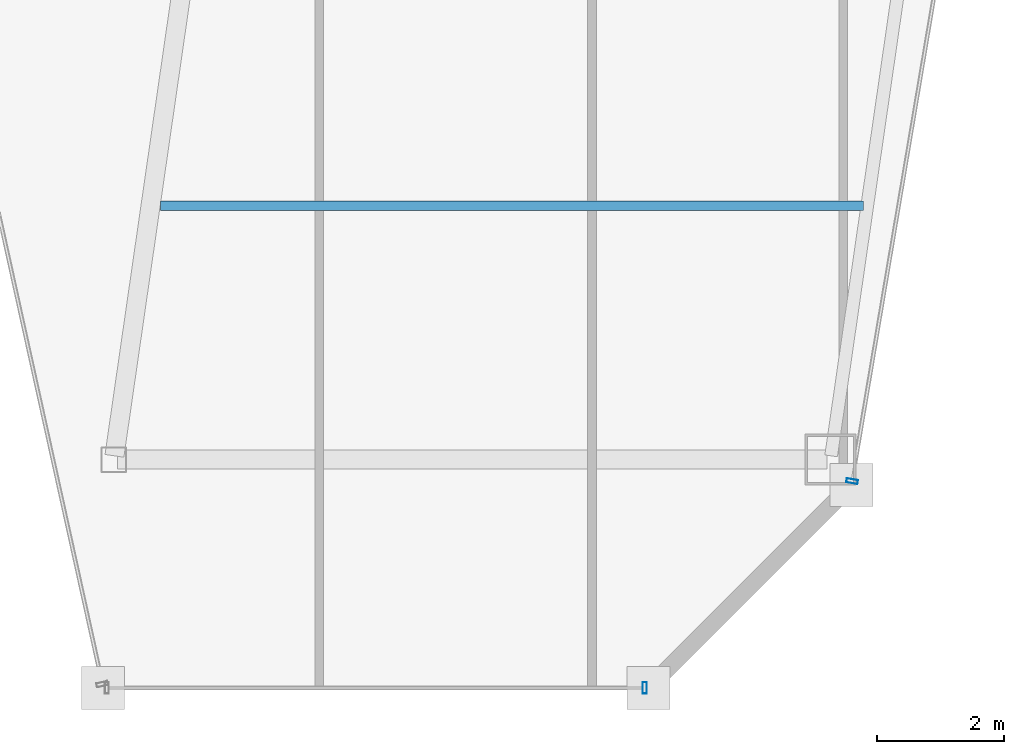
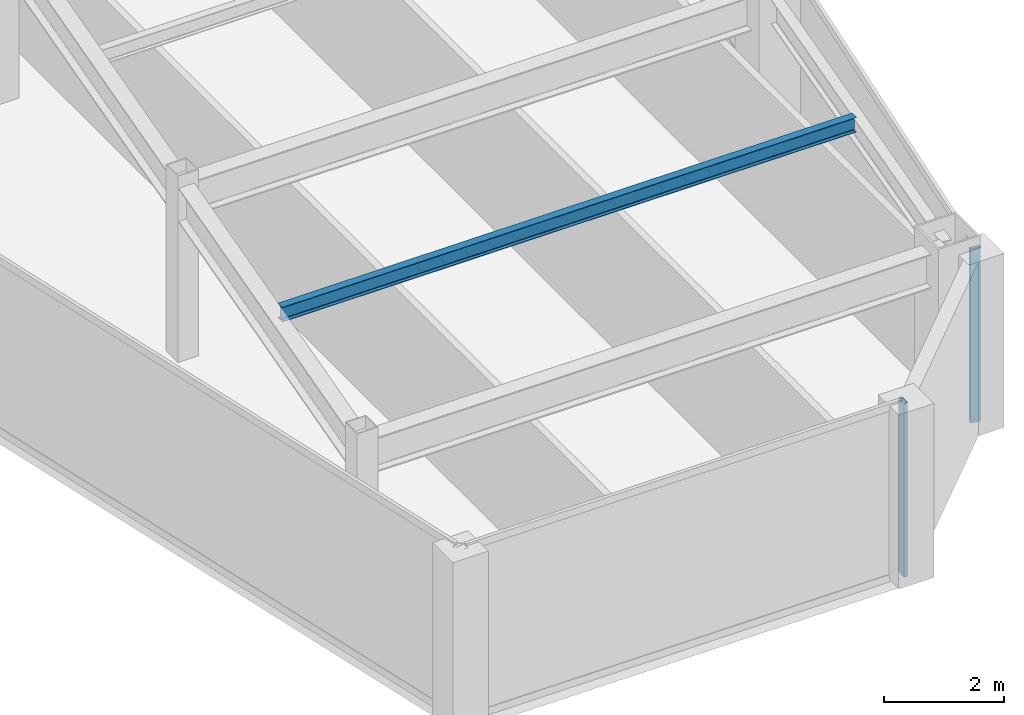
# One storey, part 18 of 36: 2 members, 1 beam, 2 elements without a shape of their own.
"""IFC4 building model written with IfcOpenShell, lengths in metres."""

from ifc_helpers import new_model, si_unit, direction, frame, origin, origin_2d, place, context, subcontext, project, spatial, hollow_rectangle, i_section, extrude, material, material_profile, profile_set, type_object, element, aggregate, save


model = new_model("IFC4")

# Units and contexts
model_context = context("Model", 3, precision=1e-05, world=origin(), true_north=direction((0.0, 1.0)))
body_context = subcontext(model_context, "Body", "Model", "MODEL_VIEW")
ifc_project = project(units=[si_unit("LENGTHUNIT", "METRE"), si_unit("AREAUNIT", "SQUARE_METRE"), si_unit("VOLUMEUNIT", "CUBIC_METRE"), si_unit("PLANEANGLEUNIT", "RADIAN"), si_unit("MASSUNIT", "GRAM", prefix="KILO")], contexts=[model_context])

# Site, building, storey
site_placement = place(None, origin())
site = spatial("IfcSite", under=ifc_project, at=site_placement, CompositionType="ELEMENT")
building_placement = place(site_placement, origin())
building = spatial("IfcBuilding", under=site, at=building_placement, Name="Saevonmaru Cultural Tower", CompositionType="ELEMENT")
storey_placement = place(building_placement, frame((0.0, 0.0, 209.39990234375)))
storey = spatial("IfcBuildingStorey", under=building, at=storey_placement, Name="L48", CompositionType="ELEMENT", Elevation=209.39990234375)

# Beam
ifc_material_1 = material(Name="Steel SM355", Category="steel")
ifc_material_profile_1 = material_profile(ifc_material_1, i_section(OverallWidth=0.14990234375, OverallDepth=0.300048828125, WebThickness=0.006591796875, FlangeThickness=0.009033203125, FilletRadius=0.012939453125, at=origin_2d()), Name="H-300x150x6.5x9")
ifc_profile_set_1 = profile_set([ifc_material_profile_1], Name="Steel SM355")
beam_type = type_object("IfcBeamType", Name="BM-J-H300", PredefinedType="JOIST", material=ifc_profile_set_1)
beam_placement = place(storey_placement, frame((38.80810546875, 20.0, 3.400146484375), z_axis=(1.0, 0.0, 0.0), x_axis=(0.0, 1.0, 0.0)))
element("IfcBeam", 1, at=beam_placement, inside=storey, type_object=beam_type, Name="L48 East Wing Floor Joist 1", PredefinedType="JOIST", context=body_context, shape_type="SweptSolid", body=[
    extrude(i_section(OverallWidth=0.14990234375, OverallDepth=0.300048828125, WebThickness=0.006591796875, FlangeThickness=0.009033203125, FilletRadius=0.012939453125, at=origin_2d()), origin(), (0.0, 0.0, 1.0), 11.081787109375),
])

# Curtain wall, member
ifc_material_2 = material(Name="Satin Bronze Anodised Aluminium", Category="aluminium")
curtain_wall_type = type_object("IfcCurtainWallType", Name="CW-TYP-B", PredefinedType="NOTDEFINED", material=ifc_material_2)
curtain_wall_1_placement = place(storey_placement, origin())
curtain_wall_1 = element("IfcCurtainWall", 2, at=curtain_wall_1_placement, inside=storey, type_object=curtain_wall_type, Name="L48 Unitised Curtain Wall E6", PredefinedType="NOTDEFINED")
ifc_material_profile_2 = material_profile(ifc_material_2, hollow_rectangle(XDim=0.06494140625, YDim=0.179931640625, WallThickness=0.00390625, at=origin_2d()), Name="ALU-MULL-180x65x4")
ifc_profile_set_2 = profile_set([ifc_material_profile_2], Name="Satin Bronze Anodised Aluminium")
member_type = type_object("IfcMemberType", Name="ML-CW-180x65", PredefinedType="MULLION", material=ifc_profile_set_2)
member_1_placement = place(storey_placement, frame((46.442138671875, 12.39990234375, 0.0), z_axis=(0.0, 0.0, 1.0), x_axis=(1.0, 0.0, 0.0)))
member_1 = element("IfcMember", 3, at=member_1_placement, type_object=member_type, Name="CW-TW-L48-E6 mullion 2", PredefinedType="MULLION", context=body_context, shape_type="SweptSolid", body=[
    extrude(hollow_rectangle(XDim=0.06494140625, YDim=0.179931640625, WallThickness=0.00390625, at=origin_2d()), origin(), (0.0, 0.0, 1.0), 3.550048828125),
])
aggregate(curtain_wall_1, [member_1])

curtain_wall_2_placement = place(storey_placement, origin())
curtain_wall_2 = element("IfcCurtainWall", 4, at=curtain_wall_2_placement, inside=storey, type_object=curtain_wall_type, Name="L48 Unitised Curtain Wall E8", PredefinedType="NOTDEFINED")
member_2_placement = place(storey_placement, frame((49.712158203125, 15.6591796875, 0.0), z_axis=(0.0, 0.0, 1.0), x_axis=(0.16692169721, 0.985970155228, 0.0)))
member_2 = element("IfcMember", 5, at=member_2_placement, type_object=member_type, Name="CW-TW-L48-E8 mullion 1", PredefinedType="MULLION", context=body_context, shape_type="SweptSolid", body=[
    extrude(hollow_rectangle(XDim=0.06494140625, YDim=0.179931640625, WallThickness=0.00390625, at=origin_2d()), origin(), (0.0, 0.0, 1.0), 3.550048828125),
])
aggregate(curtain_wall_2, [member_2])

save(model, "model.ifc")
